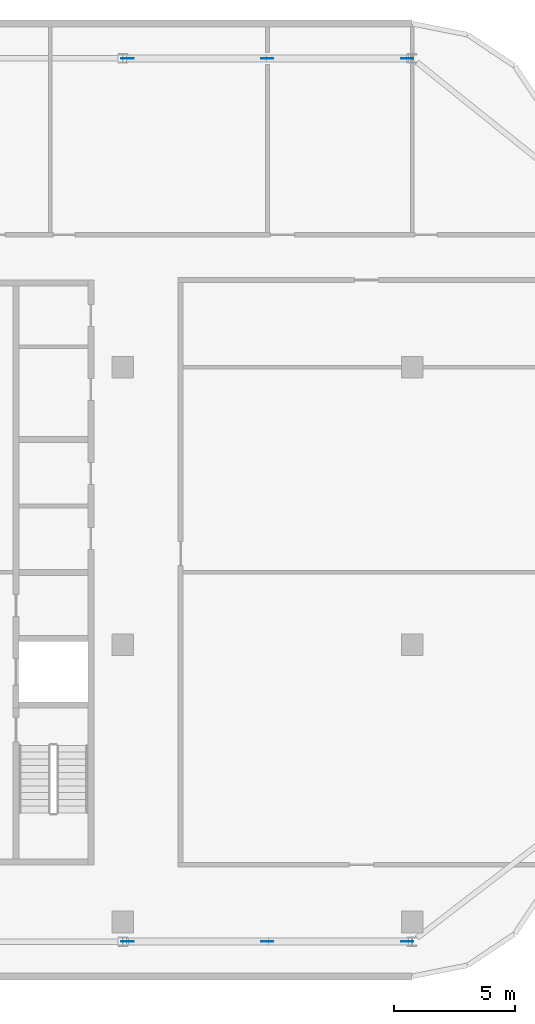
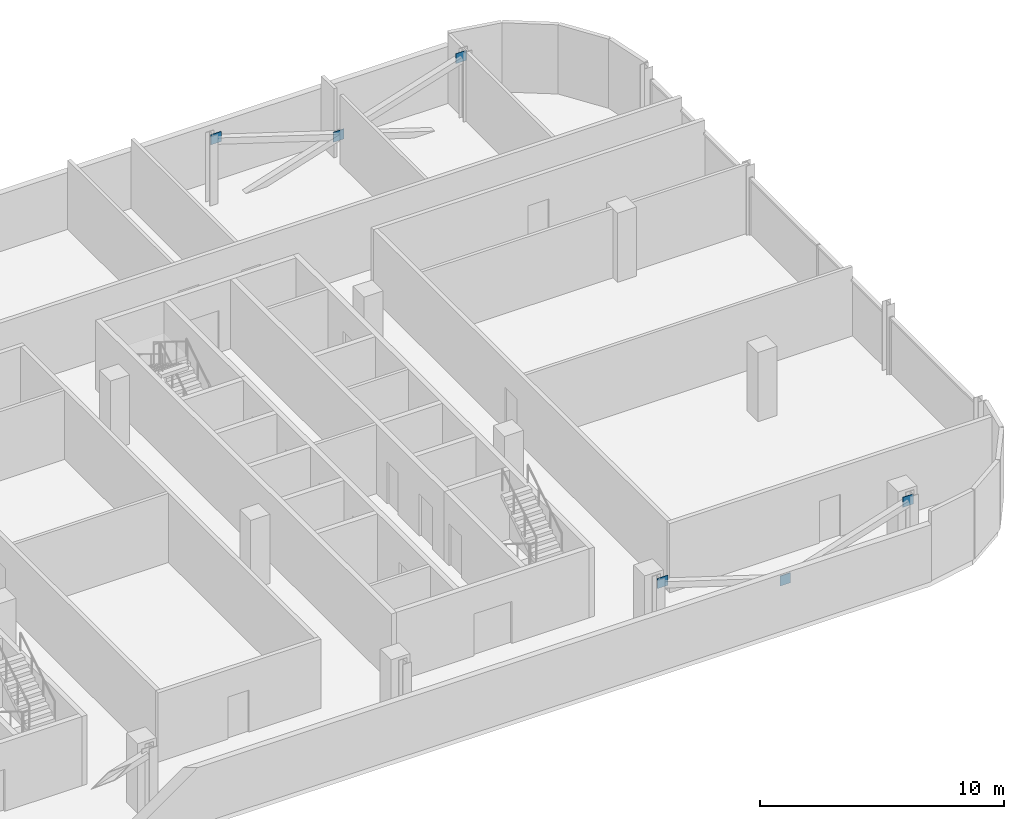
# One storey, part 23 of 28: 6 discrete accessories.
"""IFC4 building model written with IfcOpenShell, lengths in metres."""

from ifc_helpers import new_model, si_unit, direction, frame, origin, origin_2d, place, context, subcontext, project, spatial, rectangle, extrude, material, layer, layer_set, type_object, element, save


model = new_model("IFC4")

# Units and contexts
model_context = context("Model", 3, precision=1e-05, world=origin(), true_north=direction((0.0, 1.0)))
body_context = subcontext(model_context, "Body", "Model", "MODEL_VIEW")
ifc_project = project(units=[si_unit("LENGTHUNIT", "METRE"), si_unit("AREAUNIT", "SQUARE_METRE"), si_unit("VOLUMEUNIT", "CUBIC_METRE"), si_unit("PLANEANGLEUNIT", "RADIAN"), si_unit("MASSUNIT", "GRAM", prefix="KILO")], contexts=[model_context])

# Site, building, storey
site_placement = place(None, origin())
site = spatial("IfcSite", under=ifc_project, at=site_placement, CompositionType="ELEMENT")
building_placement = place(site_placement, origin())
building = spatial("IfcBuilding", under=site, at=building_placement, Name="Mahtab Terrace Research Tower", CompositionType="ELEMENT")
storey_placement = place(building_placement, frame((0.0, 0.0, 267.10009765625)))
storey = spatial("IfcBuildingStorey", under=building, at=storey_placement, Name="L65", CompositionType="ELEMENT", Elevation=267.10009765625)

# Discrete accessories
ifc_material = material(Name="Steel ASTM A992 Gr 50", Category="steel")
ifc_layer = layer(ifc_material, 0.030029296875)
ifc_layer_set = layer_set([ifc_layer], Name="Gusset plate 500x500x30")
discrete_accessory_type = type_object("IfcDiscreteAccessoryType", Name="Gusset plate 500x500x30", PredefinedType="USERDEFINED", material=ifc_layer_set)
for number, where, z_axis, x_axis, name in (
    (1, (30.197021484375, -12.306884765625, 2.906494140625), (0.0, 0.0, 1.0), (1.0, 0.0, 0.0), "Gusset plate"),
    (2, (30.197021484375, 24.306884765625, 2.906494140625), (0.0, 0.0, 1.0), (1.0, 0.0, 0.0), "Gusset plate"),
    (3, (36.0, -12.306884765625, 1.00634765625), (0.0, 0.0, 1.0), (1.0, 0.0, 0.0), "Gusset plate"),
    (4, (36.0, 24.306884765625, 1.00634765625), (0.0, 0.0, 1.0), (1.0, 0.0, 0.0), "Gusset plate"),
    (5, (41.80322265625, -12.306884765625, 2.906494140625), (0.0, 0.0, 1.0), (1.0, 0.0, 0.0), "Gusset plate"),
    (6, (41.80322265625, 24.306884765625, 2.906494140625), (0.0, 0.0, 1.0), (1.0, 0.0, 0.0), "Gusset plate"),
):
    element("IfcDiscreteAccessory", number, at=place(storey_placement, frame(where, z_axis=z_axis, x_axis=x_axis)), inside=storey, type_object=discrete_accessory_type, Name=name, ObjectType="GUSSET PLATE", PredefinedType="USERDEFINED", context=body_context, shape_type="SweptSolid", body=[
        extrude(rectangle(XDim=0.5, YDim=0.030029296875, at=origin_2d()), origin(), (0.0, 0.0, 1.0), 0.5),
    ])

save(model, "model.ifc")
